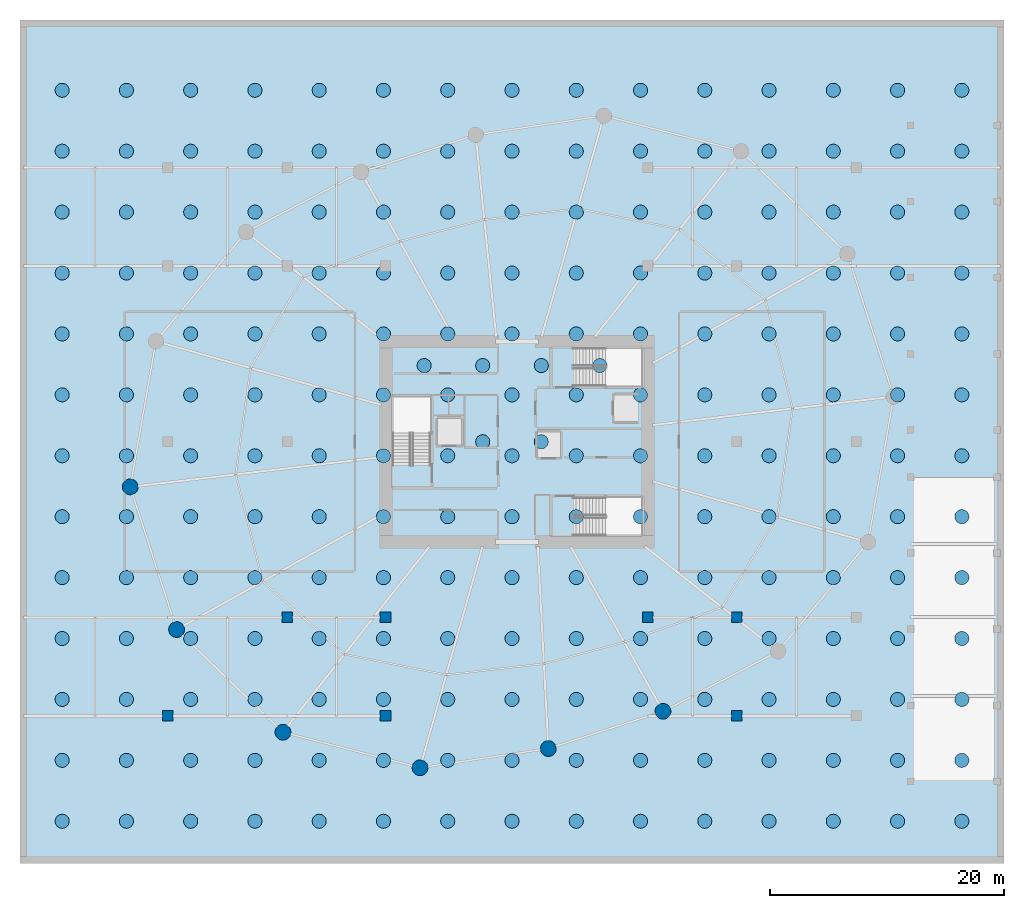
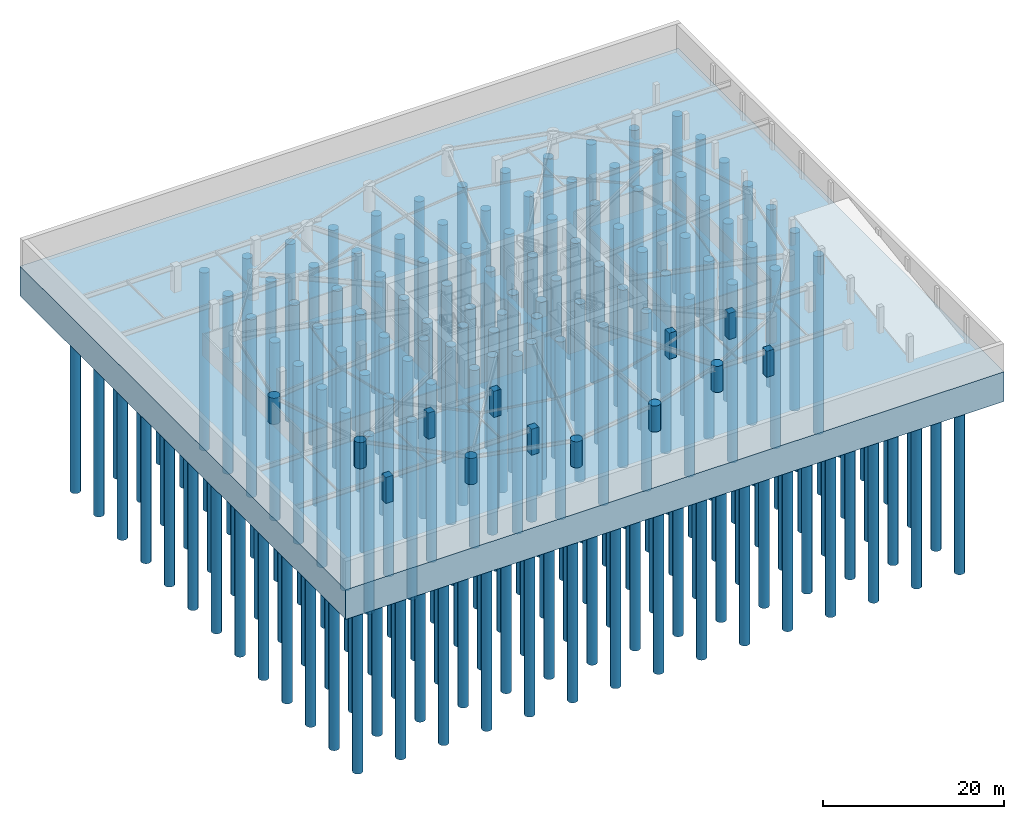
# One storey, part 1 of 12: 201 piles, 13 columns, 1 footing.
"""IFC4 building model written with IfcOpenShell, lengths in metres."""

import ifcopenshell
import ifcopenshell.guid

model = None  # the IFC model being written
_history = None  # IfcOwnerHistory: only IFC2X3 demands one
_inside = {}  # id of a spatial element -> (the spatial element, [elements in it])
_under = {}  # id of a project, library or spatial element -> (it, [spatial elements below it])
_declared = {}  # id of a project -> (the project, [libraries it declares])
_typed = {}  # id of a type object -> (the type object, [elements of that type])
_made_of = {}  # id of a material, layer set ... -> (it, [elements and type objects made of it])


def new_model(schema):
    """Start an empty IFC model of exactly this schema.

    Asked for "IFC4X3", IfcOpenShell would pick the latest addendum, in which some entities
    have other attributes; the version numbers below select the first issue.
    IFC2X3 requires an IfcOwnerHistory on every rooted entity: one is made here for all.
    """
    global model, _history
    if schema == "IFC4X3":
        model = ifcopenshell.file(schema_version=(4, 3, 0, 0))
    else:
        model = ifcopenshell.file(schema=schema)
    _inside.clear()
    _under.clear()
    _declared.clear()
    _typed.clear()
    _made_of.clear()
    _history = None
    if model.schema == "IFC2X3":
        org = make("IfcOrganization", Name="unknown")
        user = make(
            "IfcPersonAndOrganization",
            ThePerson=make("IfcPerson", FamilyName="unknown"),
            TheOrganization=org,
        )
        app = make(
            "IfcApplication",
            ApplicationDeveloper=org,
            Version="unknown",
            ApplicationFullName="unknown",
            ApplicationIdentifier="unknown",
        )
        _history = make(
            "IfcOwnerHistory",
            OwningUser=user,
            OwningApplication=app,
            ChangeAction="ADDED",
            CreationDate=0,
        )
    return model


def make(cls, **values):
    """One entity of the class cls with the attributes given. An attribute that is None is left unset."""
    return model.create_entity(
        cls, **{name: value for name, value in values.items() if value is not None}
    )


def rooted(cls, **values):
    """An entity with a GlobalId (a new one), such as an element, a storey or a relation."""
    return make(cls, GlobalId=ifcopenshell.guid.new(), OwnerHistory=_history, **values)


def si_unit(unit_type, name, prefix=None):
    """IfcSIUnit, for example si_unit("LENGTHUNIT", "METRE", prefix="MILLI")."""
    return make("IfcSIUnit", UnitType=unit_type, Prefix=prefix, Name=name)


def assignment(units):
    """IfcUnitAssignment: the units of a project."""
    return None if units is None else make("IfcUnitAssignment", Units=units)


def point(xyz):
    """IfcCartesianPoint."""
    return None if xyz is None else make("IfcCartesianPoint", Coordinates=xyz)


def direction(xyz):
    """IfcDirection."""
    return None if xyz is None else make("IfcDirection", DirectionRatios=xyz)


def frame(location, z_axis=None, x_axis=None):
    """IfcAxis2Placement3D, a coordinate frame: its origin and axes. An axis left out is left unset."""
    return make(
        "IfcAxis2Placement3D",
        Location=point(location),
        Axis=direction(z_axis),
        RefDirection=direction(x_axis),
    )


def frame_2d(location, x_axis=None):
    """IfcAxis2Placement2D, a coordinate frame in the plane: its origin and x axis."""
    return make(
        "IfcAxis2Placement2D", Location=point(location), RefDirection=direction(x_axis)
    )


def origin():
    """The frame at (0, 0, 0) with its axes left unset."""
    return frame((0.0, 0.0, 0.0))


def origin_2d():
    """The frame at (0, 0) in the plane with its x axis left unset."""
    return frame_2d((0.0, 0.0))


def place(relative_to, where):
    """IfcLocalPlacement: puts the frame where relative to a parent placement (None: the world)."""
    return make(
        "IfcLocalPlacement", PlacementRelTo=relative_to, RelativePlacement=where
    )


def context(
    kind, dimensions, precision=None, world=None, true_north=None, identifier=None
):
    """IfcGeometricRepresentationContext, for example the 3D "Model" context."""
    return make(
        "IfcGeometricRepresentationContext",
        ContextIdentifier=identifier,
        ContextType=kind,
        CoordinateSpaceDimension=dimensions,
        Precision=precision,
        WorldCoordinateSystem=world,
        TrueNorth=true_north,
    )


def subcontext(parent, identifier, kind, view, scale=None):
    """IfcGeometricRepresentationSubContext, for example "Body" below "Model"."""
    return make(
        "IfcGeometricRepresentationSubContext",
        ContextIdentifier=identifier,
        ContextType=kind,
        ParentContext=parent,
        TargetScale=scale,
        TargetView=view,
    )


def project(units=None, contexts=None):
    """IfcProject with its units and contexts."""
    return rooted(
        "IfcProject",
        Name="project",
        RepresentationContexts=contexts,
        UnitsInContext=assignment(units),
    )


def spatial(cls, under=None, at=None, **own):
    """A site, building, storey or space (cls), placed at a placement, below another one or the project."""
    s = rooted(cls, ObjectPlacement=at, **own)
    if under is not None:
        _under.setdefault(under.id(), (under, []))[1].append(s)
    return s


def profile(cls, at=None, kind="AREA", **sizes):
    """A parametric profile (cls). Its sizes go by their IFC names, for example OverallWidth=200.0."""
    return make(cls, ProfileType=kind, Position=at, **sizes)


def rectangle(**sizes):
    """IfcRectangleProfileDef."""
    return profile("IfcRectangleProfileDef", **sizes)


def circle(**sizes):
    """IfcCircleProfileDef."""
    return profile("IfcCircleProfileDef", **sizes)


def extrude(swept, where, along, depth):
    """IfcExtrudedAreaSolid: the profile swept, set in the frame where, extruded along a direction by depth."""
    return make(
        "IfcExtrudedAreaSolid",
        SweptArea=swept,
        Position=where,
        ExtrudedDirection=direction(along),
        Depth=depth,
    )


def shape(context_of_items, identifier, shape_type, items):
    """IfcShapeRepresentation: the items that make up one representation, for example the "Body"."""
    return make(
        "IfcShapeRepresentation",
        ContextOfItems=context_of_items,
        RepresentationIdentifier=identifier,
        RepresentationType=shape_type,
        Items=items,
    )


def material(Name=None, Category=None):
    """IfcMaterial."""
    return make("IfcMaterial", Name=Name, Category=Category)


def material_profile(
    of_material, cross_section, Name=None, Category=None, Priority=None
):
    """IfcMaterialProfile: a cross section and its material."""
    return make(
        "IfcMaterialProfile",
        Name=Name,
        Material=of_material,
        Profile=cross_section,
        Priority=Priority,
        Category=Category,
    )


def profile_set(profiles, Name=None, composite=None):
    """IfcMaterialProfileSet."""
    return make(
        "IfcMaterialProfileSet",
        Name=Name,
        MaterialProfiles=profiles,
        CompositeProfile=composite,
    )


def made_of(thing, what):
    """Note that an element or type object is made of a material, layer set ...; save() writes the relation."""
    if what is not None:
        _made_of.setdefault(what.id(), (what, []))[1].append(thing)
    return thing


def type_object(cls, material=None, **own):
    """A type object (cls), such as IfcWallType, which elements share."""
    return made_of(rooted(cls, **own), material)


def element(
    cls,
    number,
    at=None,
    inside=None,
    cuts=None,
    type_object=None,
    material=None,
    context=None,
    identifier="Body",
    shape_type=None,
    held_by="IfcProductDefinitionShape",
    body=None,
    shapes=None,
    **own,
):
    """One element of the class cls, such as IfcWall. Its Tag is "e" and its number.

    at: its placement. inside: the storey or other place that contains it. cuts: it is an
    opening in that element (IfcRelVoidsElement). A single representation is given by context,
    identifier, shape_type and body (its items); several are given by shapes. held_by: the class
    of the entity that holds the representations. save() writes the other relations.
    """
    e = rooted(cls, Tag="e%d" % number, ObjectPlacement=at, **own)
    if body is not None:
        shapes = [shape(context, identifier, shape_type, body)]
    if shapes is not None:
        e.Representation = make(held_by, Representations=shapes)
    if inside is not None:
        _inside.setdefault(inside.id(), (inside, []))[1].append(e)
    if cuts is not None:
        rooted(
            "IfcRelVoidsElement", RelatingBuildingElement=cuts, RelatedOpeningElement=e
        )
    if type_object is not None:
        _typed.setdefault(type_object.id(), (type_object, []))[1].append(e)
    return made_of(e, material)


def aggregate(whole, parts):
    """IfcRelAggregates: a whole, such as a stair, and the parts it consists of."""
    return rooted("IfcRelAggregates", RelatingObject=whole, RelatedObjects=parts)


def save(model, path):
    """Write the relations noted so far, then the file.

    IfcRelAggregates (storeys below a building ...), IfcRelContainedInSpatialStructure (elements
    in a storey), IfcRelDefinesByType, IfcRelAssociatesMaterial and IfcRelDeclares: one each for
    every whole, place, type object, material and project.
    """
    for whole, parts in _under.values():
        aggregate(whole, parts)
    for where, things in _inside.values():
        rooted(
            "IfcRelContainedInSpatialStructure",
            RelatedElements=things,
            RelatingStructure=where,
        )
    for kind, things in _typed.values():
        rooted("IfcRelDefinesByType", RelatedObjects=things, RelatingType=kind)
    for what, things in _made_of.values():
        rooted("IfcRelAssociatesMaterial", RelatedObjects=things, RelatingMaterial=what)
    for by, libraries in _declared.values():
        rooted("IfcRelDeclares", RelatingContext=by, RelatedDefinitions=libraries)
    model.write(path)


model = new_model("IFC4")

# Units and contexts
model_context = context("Model", 3, precision=1e-05, world=origin(), true_north=direction((0.0, 1.0)))
body_context = subcontext(model_context, "Body", "Model", "MODEL_VIEW")
ifc_project = project(units=[si_unit("LENGTHUNIT", "METRE"), si_unit("AREAUNIT", "SQUARE_METRE"), si_unit("VOLUMEUNIT", "CUBIC_METRE"), si_unit("PLANEANGLEUNIT", "RADIAN"), si_unit("MASSUNIT", "GRAM", prefix="KILO")], contexts=[model_context])

# Site, building, storey
site_placement = place(None, origin())
site = spatial("IfcSite", under=ifc_project, at=site_placement, CompositionType="ELEMENT")
building_placement = place(site_placement, origin())
building = spatial("IfcBuilding", under=site, at=building_placement, Name="Kazma Halo Residences", CompositionType="ELEMENT")
storey_placement = place(building_placement, frame((0.0, 0.0, -7.60009765625)))
storey = spatial("IfcBuildingStorey", under=building, at=storey_placement, Name="B02", CompositionType="ELEMENT", Elevation=-7.60009765625)

# Footing
ifc_material_1 = material(Name="Concrete C50/60", Category="concrete")
footing_type = type_object("IfcFootingType", Name="FTG-RAFT-4000", PredefinedType="PILE_CAP", material=ifc_material_1)
footing_placement = place(storey_placement, frame((48.0, 42.0, -4.0), z_axis=(0.0, 0.0, 1.0), x_axis=(1.0, 0.0, 0.0)))
element("IfcFooting", 1, at=footing_placement, inside=storey, type_object=footing_type, Name="Main tower piled raft foundation", PredefinedType="PILE_CAP", context=body_context, shape_type="SweptSolid", body=[
    extrude(rectangle(XDim=84.0, YDim=72.0, at=origin_2d()), origin(), (0.0, 0.0, 1.0), 4.0),
])

# Piles
ifc_material_2 = material(Name="Concrete C60/75", Category="concrete")
ifc_material_profile_1 = material_profile(ifc_material_2, circle(Radius=0.60009765625, at=origin_2d()), Name="CIRC1200")
ifc_profile_set_1 = profile_set([ifc_material_profile_1], Name="Concrete C60/75")
pile_type = type_object("IfcPileType", Name="PIL-BORED-1200", PredefinedType="BORED", material=ifc_profile_set_1)
for number, where, z_axis, x_axis, name in (
    (2, (9.60009765625, 9.60009765625, -3.89990234375), (0.0, 0.0, -1.0), (1.0, 0.0, 0.0), "Bored pile P-001"),
    (3, (9.60009765625, 14.800048828125, -3.89990234375), (0.0, 0.0, -1.0), (1.0, 0.0, 0.0), "Bored pile P-002"),
    (4, (9.60009765625, 20.0, -3.89990234375), (0.0, 0.0, -1.0), (1.0, 0.0, 0.0), "Bored pile P-003"),
    (5, (9.60009765625, 25.199951171875, -3.89990234375), (0.0, 0.0, -1.0), (1.0, 0.0, 0.0), "Bored pile P-004"),
    (6, (9.60009765625, 30.39990234375, -3.89990234375), (0.0, 0.0, -1.0), (1.0, 0.0, 0.0), "Bored pile P-005"),
    (7, (9.60009765625, 35.60009765625, -3.89990234375), (0.0, 0.0, -1.0), (1.0, 0.0, 0.0), "Bored pile P-006"),
    (8, (9.60009765625, 40.800048828125, -3.89990234375), (0.0, 0.0, -1.0), (1.0, 0.0, 0.0), "Bored pile P-007"),
    (9, (9.60009765625, 46.0, -3.89990234375), (0.0, 0.0, -1.0), (1.0, 0.0, 0.0), "Bored pile P-008"),
    (10, (9.60009765625, 51.199951171875, -3.89990234375), (0.0, 0.0, -1.0), (1.0, 0.0, 0.0), "Bored pile P-009"),
    (11, (9.60009765625, 56.39990234375, -3.89990234375), (0.0, 0.0, -1.0), (1.0, 0.0, 0.0), "Bored pile P-010"),
    (12, (9.60009765625, 61.60009765625, -3.89990234375), (0.0, 0.0, -1.0), (1.0, 0.0, 0.0), "Bored pile P-011"),
    (13, (9.60009765625, 66.800048828125, -3.89990234375), (0.0, 0.0, -1.0), (1.0, 0.0, 0.0), "Bored pile P-012"),
    (14, (9.60009765625, 72.0, -3.89990234375), (0.0, 0.0, -1.0), (1.0, 0.0, 0.0), "Bored pile P-013"),
    (15, (15.0859375, 9.60009765625, -3.89990234375), (0.0, 0.0, -1.0), (1.0, 0.0, 0.0), "Bored pile P-014"),
    (16, (15.0859375, 14.800048828125, -3.89990234375), (0.0, 0.0, -1.0), (1.0, 0.0, 0.0), "Bored pile P-015"),
    (17, (15.0859375, 20.0, -3.89990234375), (0.0, 0.0, -1.0), (1.0, 0.0, 0.0), "Bored pile P-016"),
    (18, (15.0859375, 25.199951171875, -3.89990234375), (0.0, 0.0, -1.0), (1.0, 0.0, 0.0), "Bored pile P-017"),
    (19, (15.0859375, 30.39990234375, -3.89990234375), (0.0, 0.0, -1.0), (1.0, 0.0, 0.0), "Bored pile P-018"),
    (20, (15.0859375, 35.60009765625, -3.89990234375), (0.0, 0.0, -1.0), (1.0, 0.0, 0.0), "Bored pile P-019"),
    (21, (15.0859375, 40.800048828125, -3.89990234375), (0.0, 0.0, -1.0), (1.0, 0.0, 0.0), "Bored pile P-020"),
    (22, (15.0859375, 46.0, -3.89990234375), (0.0, 0.0, -1.0), (1.0, 0.0, 0.0), "Bored pile P-021"),
    (23, (15.0859375, 51.199951171875, -3.89990234375), (0.0, 0.0, -1.0), (1.0, 0.0, 0.0), "Bored pile P-022"),
    (24, (15.0859375, 56.39990234375, -3.89990234375), (0.0, 0.0, -1.0), (1.0, 0.0, 0.0), "Bored pile P-023"),
    (25, (15.0859375, 61.60009765625, -3.89990234375), (0.0, 0.0, -1.0), (1.0, 0.0, 0.0), "Bored pile P-024"),
    (26, (15.0859375, 66.800048828125, -3.89990234375), (0.0, 0.0, -1.0), (1.0, 0.0, 0.0), "Bored pile P-025"),
    (27, (15.0859375, 72.0, -3.89990234375), (0.0, 0.0, -1.0), (1.0, 0.0, 0.0), "Bored pile P-026"),
    (28, (20.571044921875, 9.60009765625, -3.89990234375), (0.0, 0.0, -1.0), (1.0, 0.0, 0.0), "Bored pile P-027"),
    (29, (20.571044921875, 14.800048828125, -3.89990234375), (0.0, 0.0, -1.0), (1.0, 0.0, 0.0), "Bored pile P-028"),
    (30, (20.571044921875, 20.0, -3.89990234375), (0.0, 0.0, -1.0), (1.0, 0.0, 0.0), "Bored pile P-029"),
    (31, (20.571044921875, 25.199951171875, -3.89990234375), (0.0, 0.0, -1.0), (1.0, 0.0, 0.0), "Bored pile P-030"),
    (32, (20.571044921875, 30.39990234375, -3.89990234375), (0.0, 0.0, -1.0), (1.0, 0.0, 0.0), "Bored pile P-031"),
    (33, (20.571044921875, 35.60009765625, -3.89990234375), (0.0, 0.0, -1.0), (1.0, 0.0, 0.0), "Bored pile P-032"),
    (34, (20.571044921875, 40.800048828125, -3.89990234375), (0.0, 0.0, -1.0), (1.0, 0.0, 0.0), "Bored pile P-033"),
    (35, (20.571044921875, 46.0, -3.89990234375), (0.0, 0.0, -1.0), (1.0, 0.0, 0.0), "Bored pile P-034"),
    (36, (20.571044921875, 51.199951171875, -3.89990234375), (0.0, 0.0, -1.0), (1.0, 0.0, 0.0), "Bored pile P-035"),
    (37, (20.571044921875, 56.39990234375, -3.89990234375), (0.0, 0.0, -1.0), (1.0, 0.0, 0.0), "Bored pile P-036"),
    (38, (20.571044921875, 61.60009765625, -3.89990234375), (0.0, 0.0, -1.0), (1.0, 0.0, 0.0), "Bored pile P-037"),
    (39, (20.571044921875, 66.800048828125, -3.89990234375), (0.0, 0.0, -1.0), (1.0, 0.0, 0.0), "Bored pile P-038"),
    (40, (20.571044921875, 72.0, -3.89990234375), (0.0, 0.0, -1.0), (1.0, 0.0, 0.0), "Bored pile P-039"),
    (41, (26.056884765625, 9.60009765625, -3.89990234375), (0.0, 0.0, -1.0), (1.0, 0.0, 0.0), "Bored pile P-040"),
    (42, (26.056884765625, 14.800048828125, -3.89990234375), (0.0, 0.0, -1.0), (1.0, 0.0, 0.0), "Bored pile P-041"),
    (43, (26.056884765625, 20.0, -3.89990234375), (0.0, 0.0, -1.0), (1.0, 0.0, 0.0), "Bored pile P-042"),
    (44, (26.056884765625, 25.199951171875, -3.89990234375), (0.0, 0.0, -1.0), (1.0, 0.0, 0.0), "Bored pile P-043"),
    (45, (26.056884765625, 30.39990234375, -3.89990234375), (0.0, 0.0, -1.0), (1.0, 0.0, 0.0), "Bored pile P-044"),
    (46, (26.056884765625, 35.60009765625, -3.89990234375), (0.0, 0.0, -1.0), (1.0, 0.0, 0.0), "Bored pile P-045"),
    (47, (26.056884765625, 40.800048828125, -3.89990234375), (0.0, 0.0, -1.0), (1.0, 0.0, 0.0), "Bored pile P-046"),
    (48, (26.056884765625, 46.0, -3.89990234375), (0.0, 0.0, -1.0), (1.0, 0.0, 0.0), "Bored pile P-047"),
    (49, (26.056884765625, 51.199951171875, -3.89990234375), (0.0, 0.0, -1.0), (1.0, 0.0, 0.0), "Bored pile P-048"),
    (50, (26.056884765625, 56.39990234375, -3.89990234375), (0.0, 0.0, -1.0), (1.0, 0.0, 0.0), "Bored pile P-049"),
    (51, (26.056884765625, 61.60009765625, -3.89990234375), (0.0, 0.0, -1.0), (1.0, 0.0, 0.0), "Bored pile P-050"),
    (52, (26.056884765625, 66.800048828125, -3.89990234375), (0.0, 0.0, -1.0), (1.0, 0.0, 0.0), "Bored pile P-051"),
    (53, (26.056884765625, 72.0, -3.89990234375), (0.0, 0.0, -1.0), (1.0, 0.0, 0.0), "Bored pile P-052"),
    (54, (31.54296875, 9.60009765625, -3.89990234375), (0.0, 0.0, -1.0), (1.0, 0.0, 0.0), "Bored pile P-053"),
    (55, (31.54296875, 14.800048828125, -3.89990234375), (0.0, 0.0, -1.0), (1.0, 0.0, 0.0), "Bored pile P-054"),
    (56, (31.54296875, 20.0, -3.89990234375), (0.0, 0.0, -1.0), (1.0, 0.0, 0.0), "Bored pile P-055"),
    (57, (31.54296875, 25.199951171875, -3.89990234375), (0.0, 0.0, -1.0), (1.0, 0.0, 0.0), "Bored pile P-056"),
    (58, (31.54296875, 30.39990234375, -3.89990234375), (0.0, 0.0, -1.0), (1.0, 0.0, 0.0), "Bored pile P-057"),
    (59, (31.54296875, 35.60009765625, -3.89990234375), (0.0, 0.0, -1.0), (1.0, 0.0, 0.0), "Bored pile P-058"),
    (60, (31.54296875, 40.800048828125, -3.89990234375), (0.0, 0.0, -1.0), (1.0, 0.0, 0.0), "Bored pile P-059"),
    (61, (31.54296875, 46.0, -3.89990234375), (0.0, 0.0, -1.0), (1.0, 0.0, 0.0), "Bored pile P-060"),
    (62, (31.54296875, 51.199951171875, -3.89990234375), (0.0, 0.0, -1.0), (1.0, 0.0, 0.0), "Bored pile P-061"),
    (63, (31.54296875, 56.39990234375, -3.89990234375), (0.0, 0.0, -1.0), (1.0, 0.0, 0.0), "Bored pile P-062"),
    (64, (31.54296875, 61.60009765625, -3.89990234375), (0.0, 0.0, -1.0), (1.0, 0.0, 0.0), "Bored pile P-063"),
    (65, (31.54296875, 66.800048828125, -3.89990234375), (0.0, 0.0, -1.0), (1.0, 0.0, 0.0), "Bored pile P-064"),
    (66, (31.54296875, 72.0, -3.89990234375), (0.0, 0.0, -1.0), (1.0, 0.0, 0.0), "Bored pile P-065"),
    (67, (37.029052734375, 9.60009765625, -3.89990234375), (0.0, 0.0, -1.0), (1.0, 0.0, 0.0), "Bored pile P-066"),
    (68, (37.029052734375, 14.800048828125, -3.89990234375), (0.0, 0.0, -1.0), (1.0, 0.0, 0.0), "Bored pile P-067"),
    (69, (37.029052734375, 20.0, -3.89990234375), (0.0, 0.0, -1.0), (1.0, 0.0, 0.0), "Bored pile P-068"),
    (70, (37.029052734375, 25.199951171875, -3.89990234375), (0.0, 0.0, -1.0), (1.0, 0.0, 0.0), "Bored pile P-069"),
    (71, (37.029052734375, 30.39990234375, -3.89990234375), (0.0, 0.0, -1.0), (1.0, 0.0, 0.0), "Bored pile P-070"),
    (72, (37.029052734375, 35.60009765625, -3.89990234375), (0.0, 0.0, -1.0), (1.0, 0.0, 0.0), "Bored pile P-071"),
    (73, (37.029052734375, 40.800048828125, -3.89990234375), (0.0, 0.0, -1.0), (1.0, 0.0, 0.0), "Bored pile P-072"),
    (74, (37.029052734375, 46.0, -3.89990234375), (0.0, 0.0, -1.0), (1.0, 0.0, 0.0), "Bored pile P-073"),
    (75, (37.029052734375, 51.199951171875, -3.89990234375), (0.0, 0.0, -1.0), (1.0, 0.0, 0.0), "Bored pile P-074"),
    (76, (37.029052734375, 56.39990234375, -3.89990234375), (0.0, 0.0, -1.0), (1.0, 0.0, 0.0), "Bored pile P-075"),
    (77, (37.029052734375, 61.60009765625, -3.89990234375), (0.0, 0.0, -1.0), (1.0, 0.0, 0.0), "Bored pile P-076"),
    (78, (37.029052734375, 66.800048828125, -3.89990234375), (0.0, 0.0, -1.0), (1.0, 0.0, 0.0), "Bored pile P-077"),
    (79, (37.029052734375, 72.0, -3.89990234375), (0.0, 0.0, -1.0), (1.0, 0.0, 0.0), "Bored pile P-078"),
    (80, (40.5, 48.5, -3.89990234375), (0.0, 0.0, -1.0), (1.0, 0.0, 0.0), "Bored pile P-079"),
    (81, (42.513916015625, 9.60009765625, -3.89990234375), (0.0, 0.0, -1.0), (1.0, 0.0, 0.0), "Bored pile P-080"),
    (82, (42.513916015625, 14.800048828125, -3.89990234375), (0.0, 0.0, -1.0), (1.0, 0.0, 0.0), "Bored pile P-081"),
    (83, (42.513916015625, 20.0, -3.89990234375), (0.0, 0.0, -1.0), (1.0, 0.0, 0.0), "Bored pile P-082"),
    (84, (42.513916015625, 25.199951171875, -3.89990234375), (0.0, 0.0, -1.0), (1.0, 0.0, 0.0), "Bored pile P-083"),
    (85, (42.513916015625, 30.39990234375, -3.89990234375), (0.0, 0.0, -1.0), (1.0, 0.0, 0.0), "Bored pile P-084"),
    (86, (42.513916015625, 35.60009765625, -3.89990234375), (0.0, 0.0, -1.0), (1.0, 0.0, 0.0), "Bored pile P-085"),
    (87, (42.513916015625, 40.800048828125, -3.89990234375), (0.0, 0.0, -1.0), (1.0, 0.0, 0.0), "Bored pile P-086"),
    (88, (42.513916015625, 46.0, -3.89990234375), (0.0, 0.0, -1.0), (1.0, 0.0, 0.0), "Bored pile P-087"),
    (89, (42.513916015625, 51.199951171875, -3.89990234375), (0.0, 0.0, -1.0), (1.0, 0.0, 0.0), "Bored pile P-088"),
    (90, (42.513916015625, 56.39990234375, -3.89990234375), (0.0, 0.0, -1.0), (1.0, 0.0, 0.0), "Bored pile P-089"),
    (91, (42.513916015625, 61.60009765625, -3.89990234375), (0.0, 0.0, -1.0), (1.0, 0.0, 0.0), "Bored pile P-090"),
    (92, (42.513916015625, 66.800048828125, -3.89990234375), (0.0, 0.0, -1.0), (1.0, 0.0, 0.0), "Bored pile P-091"),
    (93, (42.513916015625, 72.0, -3.89990234375), (0.0, 0.0, -1.0), (1.0, 0.0, 0.0), "Bored pile P-092"),
    (94, (45.5, 42.0, -3.89990234375), (0.0, 0.0, -1.0), (1.0, 0.0, 0.0), "Bored pile P-093"),
    (95, (45.5, 48.5, -3.89990234375), (0.0, 0.0, -1.0), (1.0, 0.0, 0.0), "Bored pile P-094"),
    (96, (48.0, 9.60009765625, -3.89990234375), (0.0, 0.0, -1.0), (1.0, 0.0, 0.0), "Bored pile P-095"),
    (97, (48.0, 14.800048828125, -3.89990234375), (0.0, 0.0, -1.0), (1.0, 0.0, 0.0), "Bored pile P-096"),
    (98, (48.0, 20.0, -3.89990234375), (0.0, 0.0, -1.0), (1.0, 0.0, 0.0), "Bored pile P-097"),
    (99, (48.0, 25.199951171875, -3.89990234375), (0.0, 0.0, -1.0), (1.0, 0.0, 0.0), "Bored pile P-098"),
    (100, (48.0, 30.39990234375, -3.89990234375), (0.0, 0.0, -1.0), (1.0, 0.0, 0.0), "Bored pile P-099"),
    (101, (48.0, 35.60009765625, -3.89990234375), (0.0, 0.0, -1.0), (1.0, 0.0, 0.0), "Bored pile P-100"),
    (102, (48.0, 40.800048828125, -3.89990234375), (0.0, 0.0, -1.0), (1.0, 0.0, 0.0), "Bored pile P-101"),
    (103, (48.0, 46.0, -3.89990234375), (0.0, 0.0, -1.0), (1.0, 0.0, 0.0), "Bored pile P-102"),
    (104, (48.0, 51.199951171875, -3.89990234375), (0.0, 0.0, -1.0), (1.0, 0.0, 0.0), "Bored pile P-103"),
    (105, (48.0, 56.39990234375, -3.89990234375), (0.0, 0.0, -1.0), (1.0, 0.0, 0.0), "Bored pile P-104"),
    (106, (48.0, 61.60009765625, -3.89990234375), (0.0, 0.0, -1.0), (1.0, 0.0, 0.0), "Bored pile P-105"),
    (107, (48.0, 66.800048828125, -3.89990234375), (0.0, 0.0, -1.0), (1.0, 0.0, 0.0), "Bored pile P-106"),
    (108, (48.0, 72.0, -3.89990234375), (0.0, 0.0, -1.0), (1.0, 0.0, 0.0), "Bored pile P-107"),
    (109, (50.5, 42.0, -3.89990234375), (0.0, 0.0, -1.0), (1.0, 0.0, 0.0), "Bored pile P-108"),
    (110, (50.5, 48.5, -3.89990234375), (0.0, 0.0, -1.0), (1.0, 0.0, 0.0), "Bored pile P-109"),
    (111, (53.486083984375, 9.60009765625, -3.89990234375), (0.0, 0.0, -1.0), (1.0, 0.0, 0.0), "Bored pile P-110"),
    (112, (53.486083984375, 14.800048828125, -3.89990234375), (0.0, 0.0, -1.0), (1.0, 0.0, 0.0), "Bored pile P-111"),
    (113, (53.486083984375, 20.0, -3.89990234375), (0.0, 0.0, -1.0), (1.0, 0.0, 0.0), "Bored pile P-112"),
    (114, (53.486083984375, 25.199951171875, -3.89990234375), (0.0, 0.0, -1.0), (1.0, 0.0, 0.0), "Bored pile P-113"),
    (115, (53.486083984375, 30.39990234375, -3.89990234375), (0.0, 0.0, -1.0), (1.0, 0.0, 0.0), "Bored pile P-114"),
    (116, (53.486083984375, 35.60009765625, -3.89990234375), (0.0, 0.0, -1.0), (1.0, 0.0, 0.0), "Bored pile P-115"),
    (117, (53.486083984375, 40.800048828125, -3.89990234375), (0.0, 0.0, -1.0), (1.0, 0.0, 0.0), "Bored pile P-116"),
    (118, (53.486083984375, 46.0, -3.89990234375), (0.0, 0.0, -1.0), (1.0, 0.0, 0.0), "Bored pile P-117"),
    (119, (53.486083984375, 51.199951171875, -3.89990234375), (0.0, 0.0, -1.0), (1.0, 0.0, 0.0), "Bored pile P-118"),
    (120, (53.486083984375, 56.39990234375, -3.89990234375), (0.0, 0.0, -1.0), (1.0, 0.0, 0.0), "Bored pile P-119"),
    (121, (53.486083984375, 61.60009765625, -3.89990234375), (0.0, 0.0, -1.0), (1.0, 0.0, 0.0), "Bored pile P-120"),
    (122, (53.486083984375, 66.800048828125, -3.89990234375), (0.0, 0.0, -1.0), (1.0, 0.0, 0.0), "Bored pile P-121"),
    (123, (53.486083984375, 72.0, -3.89990234375), (0.0, 0.0, -1.0), (1.0, 0.0, 0.0), "Bored pile P-122"),
    (124, (55.5, 48.5, -3.89990234375), (0.0, 0.0, -1.0), (1.0, 0.0, 0.0), "Bored pile P-123"),
    (125, (58.970947265625, 9.60009765625, -3.89990234375), (0.0, 0.0, -1.0), (1.0, 0.0, 0.0), "Bored pile P-124"),
    (126, (58.970947265625, 14.800048828125, -3.89990234375), (0.0, 0.0, -1.0), (1.0, 0.0, 0.0), "Bored pile P-125"),
    (127, (58.970947265625, 20.0, -3.89990234375), (0.0, 0.0, -1.0), (1.0, 0.0, 0.0), "Bored pile P-126"),
    (128, (58.970947265625, 25.199951171875, -3.89990234375), (0.0, 0.0, -1.0), (1.0, 0.0, 0.0), "Bored pile P-127"),
    (129, (58.970947265625, 30.39990234375, -3.89990234375), (0.0, 0.0, -1.0), (1.0, 0.0, 0.0), "Bored pile P-128"),
    (130, (58.970947265625, 35.60009765625, -3.89990234375), (0.0, 0.0, -1.0), (1.0, 0.0, 0.0), "Bored pile P-129"),
    (131, (58.970947265625, 40.800048828125, -3.89990234375), (0.0, 0.0, -1.0), (1.0, 0.0, 0.0), "Bored pile P-130"),
    (132, (58.970947265625, 46.0, -3.89990234375), (0.0, 0.0, -1.0), (1.0, 0.0, 0.0), "Bored pile P-131"),
    (133, (58.970947265625, 51.199951171875, -3.89990234375), (0.0, 0.0, -1.0), (1.0, 0.0, 0.0), "Bored pile P-132"),
    (134, (58.970947265625, 56.39990234375, -3.89990234375), (0.0, 0.0, -1.0), (1.0, 0.0, 0.0), "Bored pile P-133"),
    (135, (58.970947265625, 61.60009765625, -3.89990234375), (0.0, 0.0, -1.0), (1.0, 0.0, 0.0), "Bored pile P-134"),
    (136, (58.970947265625, 66.800048828125, -3.89990234375), (0.0, 0.0, -1.0), (1.0, 0.0, 0.0), "Bored pile P-135"),
    (137, (58.970947265625, 72.0, -3.89990234375), (0.0, 0.0, -1.0), (1.0, 0.0, 0.0), "Bored pile P-136"),
    (138, (64.45703125, 9.60009765625, -3.89990234375), (0.0, 0.0, -1.0), (1.0, 0.0, 0.0), "Bored pile P-137"),
    (139, (64.45703125, 14.800048828125, -3.89990234375), (0.0, 0.0, -1.0), (1.0, 0.0, 0.0), "Bored pile P-138"),
    (140, (64.45703125, 20.0, -3.89990234375), (0.0, 0.0, -1.0), (1.0, 0.0, 0.0), "Bored pile P-139"),
    (141, (64.45703125, 25.199951171875, -3.89990234375), (0.0, 0.0, -1.0), (1.0, 0.0, 0.0), "Bored pile P-140"),
    (142, (64.45703125, 30.39990234375, -3.89990234375), (0.0, 0.0, -1.0), (1.0, 0.0, 0.0), "Bored pile P-141"),
    (143, (64.45703125, 35.60009765625, -3.89990234375), (0.0, 0.0, -1.0), (1.0, 0.0, 0.0), "Bored pile P-142"),
    (144, (64.45703125, 40.800048828125, -3.89990234375), (0.0, 0.0, -1.0), (1.0, 0.0, 0.0), "Bored pile P-143"),
    (145, (64.45703125, 46.0, -3.89990234375), (0.0, 0.0, -1.0), (1.0, 0.0, 0.0), "Bored pile P-144"),
    (146, (64.45703125, 51.199951171875, -3.89990234375), (0.0, 0.0, -1.0), (1.0, 0.0, 0.0), "Bored pile P-145"),
    (147, (64.45703125, 56.39990234375, -3.89990234375), (0.0, 0.0, -1.0), (1.0, 0.0, 0.0), "Bored pile P-146"),
    (148, (64.45703125, 61.60009765625, -3.89990234375), (0.0, 0.0, -1.0), (1.0, 0.0, 0.0), "Bored pile P-147"),
    (149, (64.45703125, 66.800048828125, -3.89990234375), (0.0, 0.0, -1.0), (1.0, 0.0, 0.0), "Bored pile P-148"),
    (150, (64.45703125, 72.0, -3.89990234375), (0.0, 0.0, -1.0), (1.0, 0.0, 0.0), "Bored pile P-149"),
    (151, (69.943115234375, 9.60009765625, -3.89990234375), (0.0, 0.0, -1.0), (1.0, 0.0, 0.0), "Bored pile P-150"),
    (152, (69.943115234375, 14.800048828125, -3.89990234375), (0.0, 0.0, -1.0), (1.0, 0.0, 0.0), "Bored pile P-151"),
    (153, (69.943115234375, 20.0, -3.89990234375), (0.0, 0.0, -1.0), (1.0, 0.0, 0.0), "Bored pile P-152"),
    (154, (69.943115234375, 25.199951171875, -3.89990234375), (0.0, 0.0, -1.0), (1.0, 0.0, 0.0), "Bored pile P-153"),
    (155, (69.943115234375, 30.39990234375, -3.89990234375), (0.0, 0.0, -1.0), (1.0, 0.0, 0.0), "Bored pile P-154"),
    (156, (69.943115234375, 35.60009765625, -3.89990234375), (0.0, 0.0, -1.0), (1.0, 0.0, 0.0), "Bored pile P-155"),
    (157, (69.943115234375, 40.800048828125, -3.89990234375), (0.0, 0.0, -1.0), (1.0, 0.0, 0.0), "Bored pile P-156"),
    (158, (69.943115234375, 46.0, -3.89990234375), (0.0, 0.0, -1.0), (1.0, 0.0, 0.0), "Bored pile P-157"),
    (159, (69.943115234375, 51.199951171875, -3.89990234375), (0.0, 0.0, -1.0), (1.0, 0.0, 0.0), "Bored pile P-158"),
    (160, (69.943115234375, 56.39990234375, -3.89990234375), (0.0, 0.0, -1.0), (1.0, 0.0, 0.0), "Bored pile P-159"),
    (161, (69.943115234375, 61.60009765625, -3.89990234375), (0.0, 0.0, -1.0), (1.0, 0.0, 0.0), "Bored pile P-160"),
    (162, (69.943115234375, 66.800048828125, -3.89990234375), (0.0, 0.0, -1.0), (1.0, 0.0, 0.0), "Bored pile P-161"),
    (163, (69.943115234375, 72.0, -3.89990234375), (0.0, 0.0, -1.0), (1.0, 0.0, 0.0), "Bored pile P-162"),
    (164, (75.427978515625, 9.60009765625, -3.89990234375), (0.0, 0.0, -1.0), (1.0, 0.0, 0.0), "Bored pile P-163"),
    (165, (75.427978515625, 14.800048828125, -3.89990234375), (0.0, 0.0, -1.0), (1.0, 0.0, 0.0), "Bored pile P-164"),
    (166, (75.427978515625, 20.0, -3.89990234375), (0.0, 0.0, -1.0), (1.0, 0.0, 0.0), "Bored pile P-165"),
    (167, (75.427978515625, 25.199951171875, -3.89990234375), (0.0, 0.0, -1.0), (1.0, 0.0, 0.0), "Bored pile P-166"),
    (168, (75.427978515625, 30.39990234375, -3.89990234375), (0.0, 0.0, -1.0), (1.0, 0.0, 0.0), "Bored pile P-167"),
    (169, (75.427978515625, 35.60009765625, -3.89990234375), (0.0, 0.0, -1.0), (1.0, 0.0, 0.0), "Bored pile P-168"),
    (170, (75.427978515625, 40.800048828125, -3.89990234375), (0.0, 0.0, -1.0), (1.0, 0.0, 0.0), "Bored pile P-169"),
    (171, (75.427978515625, 46.0, -3.89990234375), (0.0, 0.0, -1.0), (1.0, 0.0, 0.0), "Bored pile P-170"),
    (172, (75.427978515625, 51.199951171875, -3.89990234375), (0.0, 0.0, -1.0), (1.0, 0.0, 0.0), "Bored pile P-171"),
    (173, (75.427978515625, 56.39990234375, -3.89990234375), (0.0, 0.0, -1.0), (1.0, 0.0, 0.0), "Bored pile P-172"),
    (174, (75.427978515625, 61.60009765625, -3.89990234375), (0.0, 0.0, -1.0), (1.0, 0.0, 0.0), "Bored pile P-173"),
    (175, (75.427978515625, 66.800048828125, -3.89990234375), (0.0, 0.0, -1.0), (1.0, 0.0, 0.0), "Bored pile P-174"),
    (176, (75.427978515625, 72.0, -3.89990234375), (0.0, 0.0, -1.0), (1.0, 0.0, 0.0), "Bored pile P-175"),
    (177, (80.9140625, 9.60009765625, -3.89990234375), (0.0, 0.0, -1.0), (1.0, 0.0, 0.0), "Bored pile P-176"),
    (178, (80.9140625, 14.800048828125, -3.89990234375), (0.0, 0.0, -1.0), (1.0, 0.0, 0.0), "Bored pile P-177"),
    (179, (80.9140625, 20.0, -3.89990234375), (0.0, 0.0, -1.0), (1.0, 0.0, 0.0), "Bored pile P-178"),
    (180, (80.9140625, 25.199951171875, -3.89990234375), (0.0, 0.0, -1.0), (1.0, 0.0, 0.0), "Bored pile P-179"),
    (181, (80.9140625, 30.39990234375, -3.89990234375), (0.0, 0.0, -1.0), (1.0, 0.0, 0.0), "Bored pile P-180"),
    (182, (80.9140625, 35.60009765625, -3.89990234375), (0.0, 0.0, -1.0), (1.0, 0.0, 0.0), "Bored pile P-181"),
    (183, (80.9140625, 40.800048828125, -3.89990234375), (0.0, 0.0, -1.0), (1.0, 0.0, 0.0), "Bored pile P-182"),
    (184, (80.9140625, 46.0, -3.89990234375), (0.0, 0.0, -1.0), (1.0, 0.0, 0.0), "Bored pile P-183"),
    (185, (80.9140625, 51.199951171875, -3.89990234375), (0.0, 0.0, -1.0), (1.0, 0.0, 0.0), "Bored pile P-184"),
    (186, (80.9140625, 56.39990234375, -3.89990234375), (0.0, 0.0, -1.0), (1.0, 0.0, 0.0), "Bored pile P-185"),
    (187, (80.9140625, 61.60009765625, -3.89990234375), (0.0, 0.0, -1.0), (1.0, 0.0, 0.0), "Bored pile P-186"),
    (188, (80.9140625, 66.800048828125, -3.89990234375), (0.0, 0.0, -1.0), (1.0, 0.0, 0.0), "Bored pile P-187"),
    (189, (80.9140625, 72.0, -3.89990234375), (0.0, 0.0, -1.0), (1.0, 0.0, 0.0), "Bored pile P-188"),
    (190, (86.39990234375, 9.60009765625, -3.89990234375), (0.0, 0.0, -1.0), (1.0, 0.0, 0.0), "Bored pile P-189"),
    (191, (86.39990234375, 14.800048828125, -3.89990234375), (0.0, 0.0, -1.0), (1.0, 0.0, 0.0), "Bored pile P-190"),
    (192, (86.39990234375, 20.0, -3.89990234375), (0.0, 0.0, -1.0), (1.0, 0.0, 0.0), "Bored pile P-191"),
    (193, (86.39990234375, 25.199951171875, -3.89990234375), (0.0, 0.0, -1.0), (1.0, 0.0, 0.0), "Bored pile P-192"),
    (194, (86.39990234375, 30.39990234375, -3.89990234375), (0.0, 0.0, -1.0), (1.0, 0.0, 0.0), "Bored pile P-193"),
    (195, (86.39990234375, 35.60009765625, -3.89990234375), (0.0, 0.0, -1.0), (1.0, 0.0, 0.0), "Bored pile P-194"),
    (196, (86.39990234375, 40.800048828125, -3.89990234375), (0.0, 0.0, -1.0), (1.0, 0.0, 0.0), "Bored pile P-195"),
    (197, (86.39990234375, 46.0, -3.89990234375), (0.0, 0.0, -1.0), (1.0, 0.0, 0.0), "Bored pile P-196"),
    (198, (86.39990234375, 51.199951171875, -3.89990234375), (0.0, 0.0, -1.0), (1.0, 0.0, 0.0), "Bored pile P-197"),
    (199, (86.39990234375, 56.39990234375, -3.89990234375), (0.0, 0.0, -1.0), (1.0, 0.0, 0.0), "Bored pile P-198"),
    (200, (86.39990234375, 61.60009765625, -3.89990234375), (0.0, 0.0, -1.0), (1.0, 0.0, 0.0), "Bored pile P-199"),
    (201, (86.39990234375, 66.800048828125, -3.89990234375), (0.0, 0.0, -1.0), (1.0, 0.0, 0.0), "Bored pile P-200"),
    (202, (86.39990234375, 72.0, -3.89990234375), (0.0, 0.0, -1.0), (1.0, 0.0, 0.0), "Bored pile P-201"),
):
    element("IfcPile", number, at=place(storey_placement, frame(where, z_axis=z_axis, x_axis=x_axis)), inside=storey, type_object=pile_type, Name=name, PredefinedType="BORED", context=body_context, shape_type="SweptSolid", body=[
        extrude(circle(Radius=0.60009765625, at=origin_2d()), origin(), (0.0, 0.0, 1.0), 24.0),
    ])

# Columns
ifc_material_profile_2 = material_profile(ifc_material_2, rectangle(XDim=0.89990234375, YDim=0.89990234375, at=origin_2d()), Name="RECT900x900")
ifc_profile_set_2 = profile_set([ifc_material_profile_2], Name="Concrete C60/75")
column_type_1 = type_object("IfcColumnType", Name="COL-BSMT-900", PredefinedType="COLUMN", material=ifc_profile_set_2)
for number, where, z_axis, x_axis, name in (
    (203, (18.60009765625, 18.60009765625, 0.0), (0.0, 0.0, 1.0), (1.0, 0.0, 0.0), "B02 parking grid column 01"),
    (204, (28.800048828125, 27.0, 0.0), (0.0, 0.0, 1.0), (1.0, 0.0, 0.0), "B02 parking grid column 07"),
    (205, (37.199951171875, 18.60009765625, 0.0), (0.0, 0.0, 1.0), (1.0, 0.0, 0.0), "B02 parking grid column 11"),
    (206, (37.199951171875, 27.0, 0.0), (0.0, 0.0, 1.0), (1.0, 0.0, 0.0), "B02 parking grid column 12"),
    (207, (59.60009765625, 27.0, 0.0), (0.0, 0.0, 1.0), (1.0, 0.0, 0.0), "B02 parking grid column 16"),
    (208, (67.199951171875, 18.60009765625, 0.0), (0.0, 0.0, 1.0), (1.0, 0.0, 0.0), "B02 parking grid column 19"),
    (209, (67.199951171875, 27.0, 0.0), (0.0, 0.0, 1.0), (1.0, 0.0, 0.0), "B02 parking grid column 20"),
):
    element("IfcColumn", number, at=place(storey_placement, frame(where, z_axis=z_axis, x_axis=x_axis)), inside=storey, type_object=column_type_1, Name=name, PredefinedType="COLUMN", context=body_context, shape_type="SweptSolid", body=[
        extrude(rectangle(XDim=0.89990234375, YDim=0.89990234375, at=origin_2d()), origin(), (0.0, 0.0, 1.0), 3.52001953125),
    ])
ifc_material_3 = material(Name="Concrete C80/95", Category="concrete")
ifc_material_profile_3 = material_profile(ifc_material_3, circle(Radius=0.675048828125, at=origin_2d()), Name="CIRC1350")
ifc_profile_set_3 = profile_set([ifc_material_profile_3], Name="Concrete C80/95")
column_type_2 = type_object("IfcColumnType", Name="COL-PERIM-1350", PredefinedType="COLUMN", material=ifc_profile_set_3)
for number, where, z_axis, x_axis, name in (
    (210, (15.410400390625, 38.142822265625, 0.0), (0.0, 0.0, 1.0), (1.0, 0.0, 0.0), "B02 perimeter ring column P08"),
    (211, (19.3671875, 25.96484375, 0.0), (0.0, 0.0, 1.0), (1.0, 0.0, 0.0), "B02 perimeter ring column P09"),
    (212, (28.44677734375, 17.19677734375, 0.0), (0.0, 0.0, 1.0), (1.0, 0.0, 0.0), "B02 perimeter ring column P10"),
    (213, (40.15087890625, 14.168701171875, 0.0), (0.0, 0.0, 1.0), (1.0, 0.0, 0.0), "B02 perimeter ring column P11"),
    (214, (51.1005859375, 15.803955078125, 0.0), (0.0, 0.0, 1.0), (1.0, 0.0, 0.0), "B02 perimeter ring column P12"),
    (215, (60.889404296875, 18.984375, 0.0), (0.0, 0.0, 1.0), (1.0, 0.0, 0.0), "B02 perimeter ring column P13"),
):
    element("IfcColumn", number, at=place(storey_placement, frame(where, z_axis=z_axis, x_axis=x_axis)), inside=storey, type_object=column_type_2, Name=name, PredefinedType="COLUMN", context=body_context, shape_type="SweptSolid", body=[
        extrude(circle(Radius=0.675048828125, at=origin_2d()), origin(), (0.0, 0.0, 1.0), 3.52001953125),
    ])

save(model, "model.ifc")
